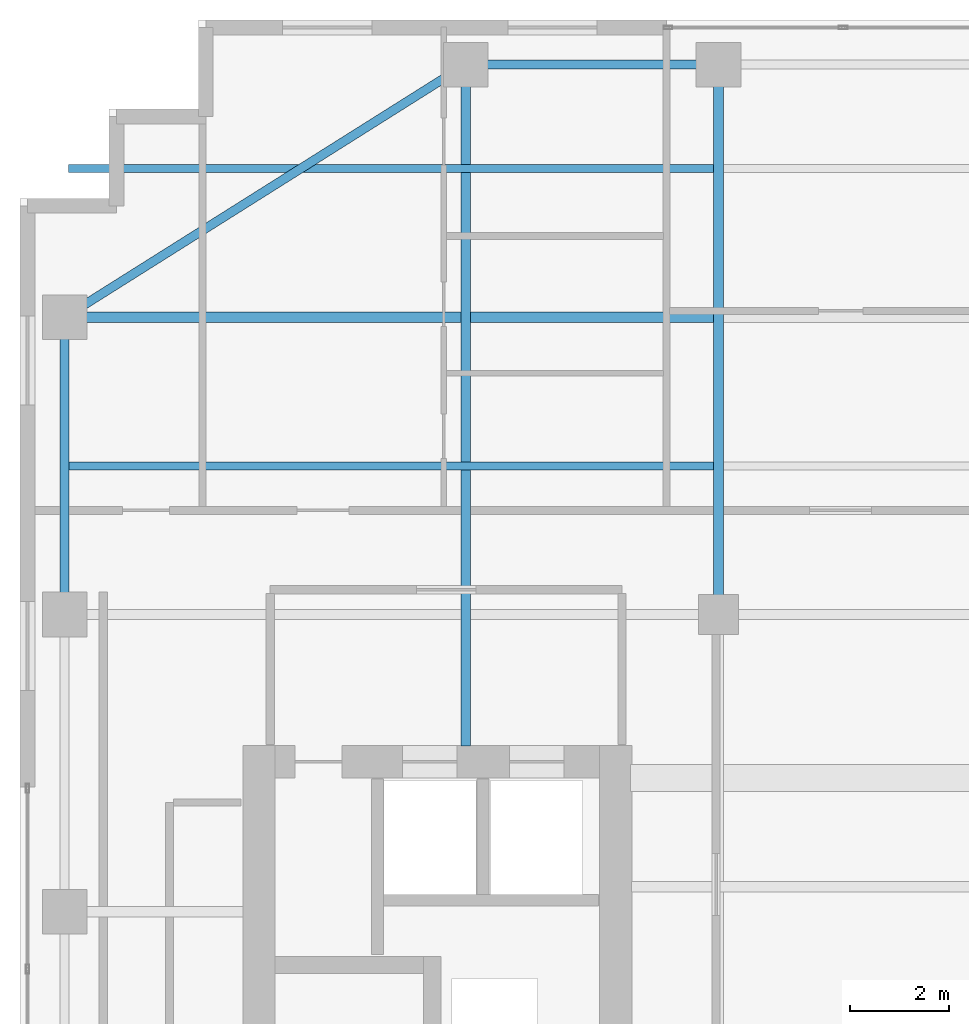
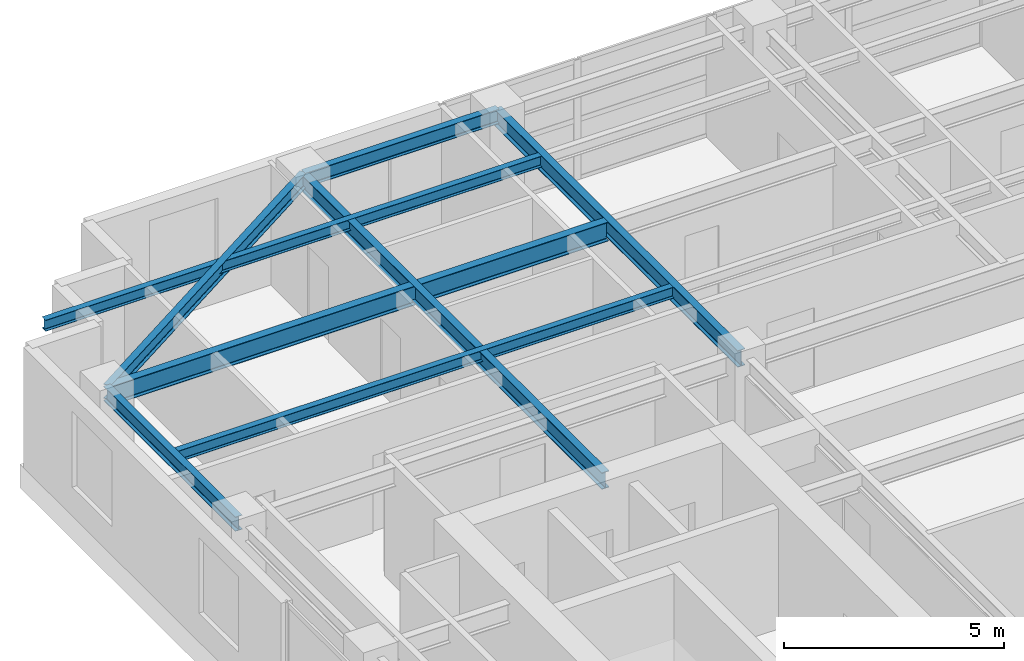
# One storey, part 14 of 24: 8 beams.
"""IFC4 building model written with IfcOpenShell, lengths in metres."""

from ifc_helpers import new_model, si_unit, direction, frame, origin, origin_2d, place, context, subcontext, project, spatial, i_section, extrude, source, transform, mapped, material, material_profile, profile_set, type_object, element, save


model = new_model("IFC4")

# Units and contexts
model_context = context("Model", 3, precision=1e-05, world=origin(), true_north=direction((0.0, 1.0)))
body_context = subcontext(model_context, "Body", "Model", "MODEL_VIEW")
ifc_project = project(units=[si_unit("LENGTHUNIT", "METRE"), si_unit("AREAUNIT", "SQUARE_METRE"), si_unit("VOLUMEUNIT", "CUBIC_METRE"), si_unit("PLANEANGLEUNIT", "RADIAN"), si_unit("MASSUNIT", "GRAM", prefix="KILO")], contexts=[model_context])

# Site, building, storey
site_placement = place(None, origin())
site = spatial("IfcSite", under=ifc_project, at=site_placement, CompositionType="ELEMENT")
building_placement = place(site_placement, origin())
building = spatial("IfcBuilding", under=site, at=building_placement, Name="Khoralis Quay Care Tower", CompositionType="ELEMENT")
storey_placement = place(building_placement, frame((0.0, 0.0, 155.699951171875)))
storey = spatial("IfcBuildingStorey", under=building, at=storey_placement, Name="L40", CompositionType="ELEMENT", Elevation=155.699951171875)

# Beams
ifc_material = material(Name="Steel S355", Category="steel")
ifc_material_profile_1 = material_profile(ifc_material, i_section(OverallWidth=0.179931640625, OverallDepth=0.39990234375, WebThickness=0.008544921875, FlangeThickness=0.013427734375, FilletRadius=0.02099609375, at=origin_2d()), Name="Steel S355")
ifc_profile_set_1 = profile_set([ifc_material_profile_1], Name="Steel S355")
beam_type_1 = type_object("IfcBeamType", Name="BM-IPE400", PredefinedType="SPANDREL", material=ifc_profile_set_1)
shared_shape_1 = source(origin(), body_context, "Body", "SweptSolid", [
    extrude(i_section(OverallWidth=0.179931640625, OverallDepth=0.39990234375, WebThickness=0.008544921875, FlangeThickness=0.013427734375, FilletRadius=0.02099609375, at=origin_2d()), origin(), (0.0, 0.0, 1.0), 6.0),
])
beam_1_placement = place(storey_placement, frame((3.89990234375, 30.0, 3.14013671875), z_axis=(0.0, 1.0, 0.0), x_axis=(-1.0, 0.0, 0.0)))
element("IfcBeam", 1, at=beam_1_placement, inside=storey, type_object=beam_type_1, Name="BM-TSP-L40-13", PredefinedType="SPANDREL", context=body_context, shape_type="MappedRepresentation", body=[
    mapped(shared_shape_1, transform((0.0, 0.0, 0.0), scale=1.0)),
])
shared_shape_2 = source(origin(), body_context, "Body", "SweptSolid", [
    extrude(i_section(OverallWidth=0.179931640625, OverallDepth=0.39990234375, WebThickness=0.008544921875, FlangeThickness=0.013427734375, FilletRadius=0.02099609375, at=origin_2d()), origin(), (0.0, 0.0, 1.0), 5.10009765625),
])
beam_2_placement = place(storey_placement, frame((12.0, 41.10009765625, 3.14013671875), z_axis=(1.0, 0.0, 0.0), x_axis=(0.0, 1.0, 0.0)))
element("IfcBeam", 2, at=beam_2_placement, inside=storey, type_object=beam_type_1, Name="BM-TSP-L40-05", PredefinedType="SPANDREL", context=body_context, shape_type="MappedRepresentation", body=[
    mapped(shared_shape_2, transform((0.0, 0.0, 0.0), scale=1.0)),
])
shared_shape_3 = source(origin(), body_context, "Body", "SweptSolid", [
    extrude(i_section(OverallWidth=0.179931640625, OverallDepth=0.39990234375, WebThickness=0.008544921875, FlangeThickness=0.013427734375, FilletRadius=0.02099609375, at=origin_2d()), origin(), (0.0, 0.0, 1.0), 9.572021484375),
])
beam_3_placement = place(storey_placement, frame((12.0, 41.10009765625, 3.14013671875), z_axis=(-0.846231136359, -0.532815975602, 0.0), x_axis=(0.532815975602, -0.846231136359, 0.0)))
element("IfcBeam", 3, at=beam_3_placement, inside=storey, type_object=beam_type_1, Name="BM-TCR-L40-21", PredefinedType="SPANDREL", context=body_context, shape_type="MappedRepresentation", body=[
    mapped(shared_shape_3, transform((0.0, 0.0, 0.0), scale=1.0)),
])
ifc_material_profile_2 = material_profile(ifc_material, i_section(OverallWidth=0.208984375, OverallDepth=0.532958984375, WebThickness=0.01025390625, FlangeThickness=0.015625, FilletRadius=0.01611328125, at=origin_2d()), Name="Steel S355")
ifc_profile_set_2 = profile_set([ifc_material_profile_2], Name="Steel S355")
beam_type_2 = type_object("IfcBeamType", Name="BM-W530X92", PredefinedType="BEAM", material=ifc_profile_set_2)
shared_shape_4 = source(origin(), body_context, "Body", "SweptSolid", [
    extrude(i_section(OverallWidth=0.208984375, OverallDepth=0.532958984375, WebThickness=0.01025390625, FlangeThickness=0.015625, FilletRadius=0.01611328125, at=origin_2d()), origin(), (0.0, 0.0, 1.0), 13.1162109375),
])
beam_4_placement = place(storey_placement, frame((3.89990234375, 36.0, 3.073486328125), z_axis=(1.0, 0.0, 0.0), x_axis=(0.0, 1.0, 0.0)))
element("IfcBeam", 4, at=beam_4_placement, inside=storey, type_object=beam_type_2, Name="BM-TGXW-L40-360", PredefinedType="BEAM", context=body_context, shape_type="MappedRepresentation", body=[
    mapped(shared_shape_4, transform((0.0, 0.0, 0.0), scale=1.0)),
])
ifc_material_profile_3 = material_profile(ifc_material, i_section(OverallWidth=0.19189453125, OverallDepth=0.462890625, WebThickness=0.010498046875, FlangeThickness=0.017578125, FilletRadius=0.014892578125, at=origin_2d()), Name="Steel S355")
ifc_profile_set_3 = profile_set([ifc_material_profile_3], Name="Steel S355")
beam_type_3 = type_object("IfcBeamType", Name="BM-W460X89", PredefinedType="BEAM", material=ifc_profile_set_3)
shared_shape_5 = source(origin(), body_context, "Body", "SweptSolid", [
    extrude(i_section(OverallWidth=0.19189453125, OverallDepth=0.462890625, WebThickness=0.010498046875, FlangeThickness=0.017578125, FilletRadius=0.014892578125, at=origin_2d()), origin(), (0.0, 0.0, 1.0), 11.10009765625),
])
beam_5_placement = place(storey_placement, frame((17.10009765625, 30.0, 3.108642578125), z_axis=(0.0, 1.0, 0.0), x_axis=(-1.0, 0.0, 0.0)))
element("IfcBeam", 5, at=beam_5_placement, inside=storey, type_object=beam_type_3, Name="BM-TGYN-L40-171", PredefinedType="BEAM", context=body_context, shape_type="MappedRepresentation", body=[
    mapped(shared_shape_5, transform((0.0, 0.0, 0.0), scale=1.0)),
])
shared_shape_6 = source(origin(), body_context, "Body", "SweptSolid", [
    extrude(i_section(OverallWidth=0.19189453125, OverallDepth=0.462890625, WebThickness=0.010498046875, FlangeThickness=0.017578125, FilletRadius=0.014892578125, at=origin_2d()), origin(), (0.0, 0.0, 1.0), 13.752197265625),
])
beam_6_placement = place(storey_placement, frame((12.0, 27.347900390625, 3.108642578125), z_axis=(0.0, 1.0, 0.0), x_axis=(-1.0, 0.0, 0.0)))
element("IfcBeam", 6, at=beam_6_placement, inside=storey, type_object=beam_type_3, Name="BM-TGYN-L40-120", PredefinedType="BEAM", context=body_context, shape_type="MappedRepresentation", body=[
    mapped(shared_shape_6, transform((0.0, 0.0, 0.0), scale=1.0)),
])
ifc_material_profile_4 = material_profile(ifc_material, i_section(OverallWidth=0.1650390625, OverallDepth=0.31005859375, WebThickness=0.005859375, FlangeThickness=0.009765625, FilletRadius=0.011962890625, at=origin_2d()), Name="Steel S355")
ifc_profile_set_4 = profile_set([ifc_material_profile_4], Name="Steel S355")
beam_type_4 = type_object("IfcBeamType", Name="BM-W310X39", PredefinedType="JOIST", material=ifc_profile_set_4)
shared_shape_7 = source(origin(), body_context, "Body", "SweptSolid", [
    extrude(i_section(OverallWidth=0.1650390625, OverallDepth=0.31005859375, WebThickness=0.005859375, FlangeThickness=0.009765625, FilletRadius=0.011962890625, at=origin_2d()), origin(), (0.0, 0.0, 1.0), 13.0400390625),
])
for number, where, z_axis, x_axis, name in (
    (7, (3.97607421875, 33.0, 3.18505859375), (1.0, 0.0, 0.0), (0.0, 1.0, 0.0), "BM-TJS-L40-26"),
    (8, (3.97607421875, 39.0, 3.18505859375), (1.0, 0.0, 0.0), (0.0, 1.0, 0.0), "BM-TJS-L40-29"),
):
    element("IfcBeam", number, at=place(storey_placement, frame(where, z_axis=z_axis, x_axis=x_axis)), inside=storey, type_object=beam_type_4, Name=name, PredefinedType="JOIST", context=body_context, shape_type="MappedRepresentation", body=[
        mapped(shared_shape_7, transform((0.0, 0.0, 0.0), scale=1.0)),
    ])

save(model, "model.ifc")
